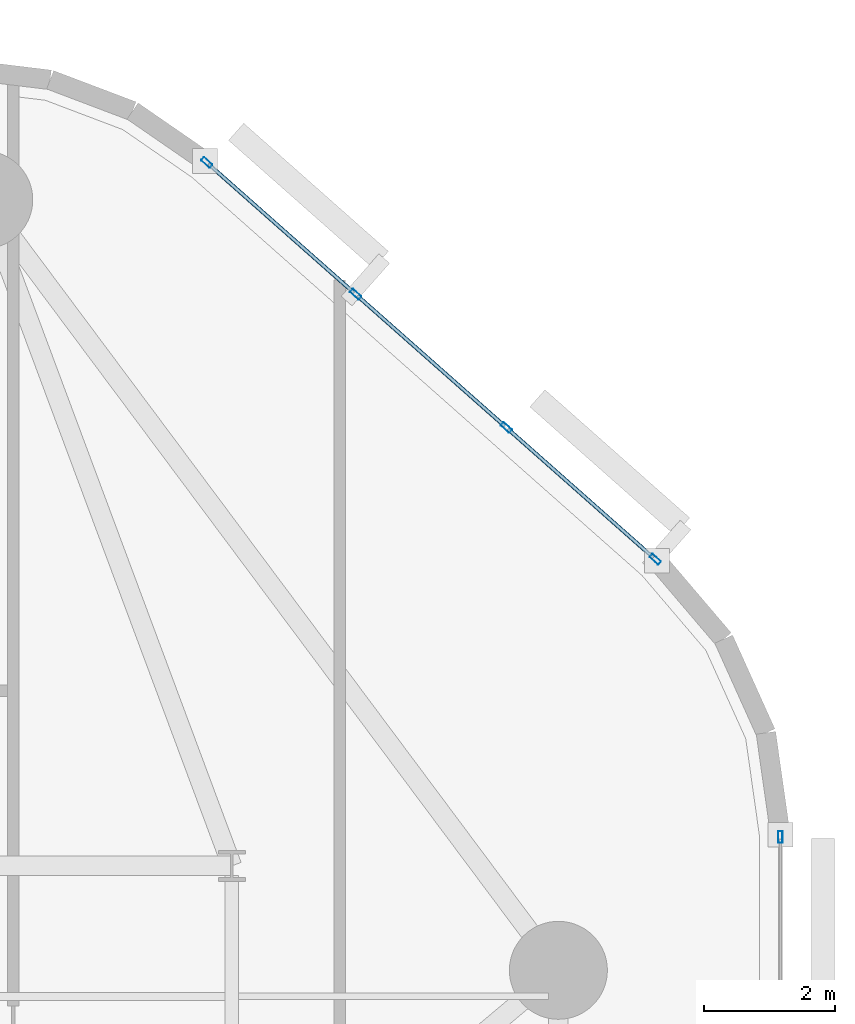
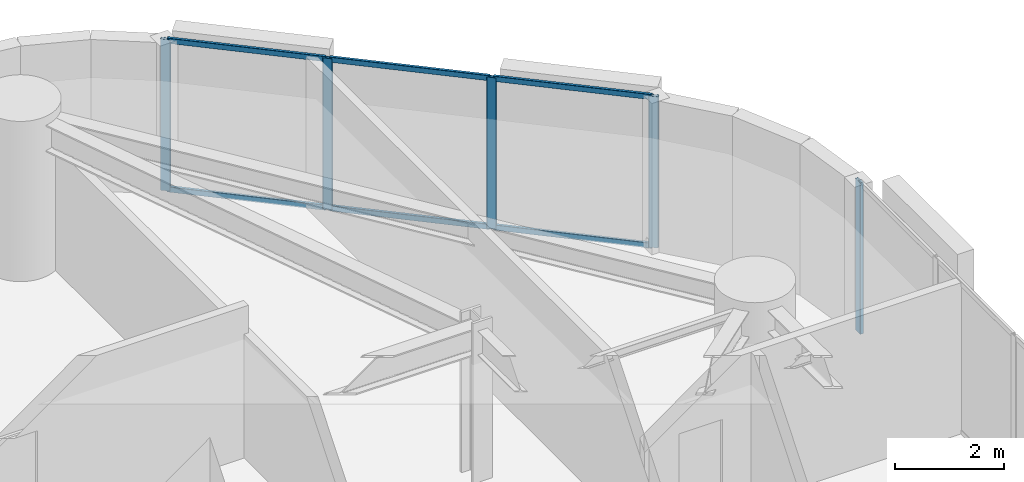
# One storey, part 8 of 16: 11 members, 2 elements without a shape of their own.
"""IFC4 building model written with IfcOpenShell, lengths in metres."""

from ifc_helpers import new_model, si_unit, direction, frame, origin, origin_2d, place, context, subcontext, project, spatial, hollow_rectangle, extrude, material, layer, layer_set, material_profile, profile_set, type_object, element, aggregate, save


model = new_model("IFC4")

# Units and contexts
model_context = context("Model", 3, precision=1e-05, world=origin(), true_north=direction((0.0, 1.0)))
body_context = subcontext(model_context, "Body", "Model", "MODEL_VIEW")
ifc_project = project(units=[si_unit("LENGTHUNIT", "METRE"), si_unit("AREAUNIT", "SQUARE_METRE"), si_unit("VOLUMEUNIT", "CUBIC_METRE"), si_unit("PLANEANGLEUNIT", "RADIAN"), si_unit("MASSUNIT", "GRAM", prefix="KILO")], contexts=[model_context])

# Site, building, storey
site_placement = place(None, origin())
site = spatial("IfcSite", under=ifc_project, at=site_placement, CompositionType="ELEMENT")
building_placement = place(site_placement, origin())
building = spatial("IfcBuilding", under=site, at=building_placement, Name="An Khanh Terracotta Commons", CompositionType="ELEMENT")
storey_placement = place(building_placement, frame((0.0, 0.0, 54.0)))
storey = spatial("IfcBuildingStorey", under=building, at=storey_placement, Name="L14", CompositionType="ELEMENT", Elevation=54.0)

# Curtain wall, member
ifc_material = material(Name="Anodised Aluminium 6063-T6", Category="aluminium")
ifc_layer = layer(ifc_material, 0.199951171875, Name="Anodised Aluminium 6063-T6")
ifc_layer_set = layer_set([ifc_layer], Name="Anodised Aluminium 6063-T6")
curtain_wall_type = type_object("IfcCurtainWallType", Name="CW-SYS-02", PredefinedType="USERDEFINED", material=ifc_layer_set)
curtain_wall_1_placement = place(storey_placement, origin())
curtain_wall_1 = element("IfcCurtainWall", 1, at=curtain_wall_1_placement, inside=storey, type_object=curtain_wall_type, Name="L14 CW-02 Unitised Curtain Wall CW-L14-12", ObjectType="UNITISED CURTAIN WALL", PredefinedType="USERDEFINED")
ifc_material_profile_1 = material_profile(ifc_material, hollow_rectangle(XDim=0.070068359375, YDim=0.179931640625, WallThickness=0.00390625, InnerFilletRadius=0.00390625, OuterFilletRadius=0.008056640625, at=origin_2d()), Name="RHS180x70x4")
ifc_profile_set_1 = profile_set([ifc_material_profile_1], Name="Anodised Aluminium 6063-T6")
member_type_1 = type_object("IfcMemberType", Name="CWM-RHS180x70x4", PredefinedType="MULLION", material=ifc_profile_set_1)
member_1_placement = place(storey_placement, frame((51.60009765625, 34.0419921875, 0.0), z_axis=(0.0, 0.0, 1.0), x_axis=(-1.0, 0.0, 0.0)))
member_1 = element("IfcMember", 2, at=member_1_placement, type_object=member_type_1, Name="CW-02 mullion 8", PredefinedType="MULLION", context=body_context, shape_type="SweptSolid", body=[
    extrude(hollow_rectangle(XDim=0.070068359375, YDim=0.179931640625, WallThickness=0.00390625, InnerFilletRadius=0.00390625, OuterFilletRadius=0.008056640625, at=origin_2d()), origin(), (0.0, 0.0, 1.0), 3.39990234375),
])
aggregate(curtain_wall_1, [member_1])

# Curtain wall, members
curtain_wall_2_placement = place(storey_placement, origin())
curtain_wall_2 = element("IfcCurtainWall", 3, at=curtain_wall_2_placement, inside=storey, type_object=curtain_wall_type, Name="L14 CW-02 Unitised Curtain Wall CW-L14-16", ObjectType="UNITISED CURTAIN WALL", PredefinedType="USERDEFINED")
member_2_placement = place(storey_placement, frame((49.683837890625, 38.295166015625, 0.0), z_axis=(0.0, 0.0, 1.0), x_axis=(-0.662548195415, -0.749019284633, 0.0)))
member_2 = element("IfcMember", 4, at=member_2_placement, type_object=member_type_1, Name="CW-02 mullion 1", PredefinedType="MULLION", context=body_context, shape_type="SweptSolid", body=[
    extrude(hollow_rectangle(XDim=0.070068359375, YDim=0.179931640625, WallThickness=0.00390625, InnerFilletRadius=0.00390625, OuterFilletRadius=0.008056640625, at=origin_2d()), origin(), (0.0, 0.0, 1.0), 3.39990234375),
])
member_3_placement = place(storey_placement, frame((47.403076171875, 40.312744140625, 0.0), z_axis=(0.0, 0.0, 1.0), x_axis=(-0.662548195415, -0.749019284633, 0.0)))
member_3 = element("IfcMember", 5, at=member_3_placement, type_object=member_type_1, Name="CW-02 mullion 2", PredefinedType="MULLION", context=body_context, shape_type="SweptSolid", body=[
    extrude(hollow_rectangle(XDim=0.070068359375, YDim=0.179931640625, WallThickness=0.00390625, InnerFilletRadius=0.00390625, OuterFilletRadius=0.008056640625, at=origin_2d()), origin(), (0.0, 0.0, 1.0), 3.39990234375),
])
member_4_placement = place(storey_placement, frame((45.095947265625, 42.353271484375, 0.0), z_axis=(0.0, 0.0, 1.0), x_axis=(-0.662548195415, -0.749019284633, 0.0)))
member_4 = element("IfcMember", 6, at=member_4_placement, type_object=member_type_1, Name="CW-02 mullion 3", PredefinedType="MULLION", context=body_context, shape_type="SweptSolid", body=[
    extrude(hollow_rectangle(XDim=0.070068359375, YDim=0.179931640625, WallThickness=0.00390625, InnerFilletRadius=0.00390625, OuterFilletRadius=0.008056640625, at=origin_2d()), origin(), (0.0, 0.0, 1.0), 3.39990234375),
])
member_5_placement = place(storey_placement, frame((42.815185546875, 44.370849609375, 0.0), z_axis=(0.0, 0.0, 1.0), x_axis=(-0.662548195415, -0.749019284633, 0.0)))
member_5 = element("IfcMember", 7, at=member_5_placement, type_object=member_type_1, Name="CW-02 mullion 4", PredefinedType="MULLION", context=body_context, shape_type="SweptSolid", body=[
    extrude(hollow_rectangle(XDim=0.070068359375, YDim=0.179931640625, WallThickness=0.00390625, InnerFilletRadius=0.00390625, OuterFilletRadius=0.008056640625, at=origin_2d()), origin(), (0.0, 0.0, 1.0), 3.39990234375),
])
ifc_material_profile_2 = material_profile(ifc_material, hollow_rectangle(XDim=0.06005859375, YDim=0.1201171875, WallThickness=0.003662109375, InnerFilletRadius=0.003662109375, OuterFilletRadius=0.007080078125, at=origin_2d()), Name="RHS120x60x3.6")
ifc_profile_set_2 = profile_set([ifc_material_profile_2], Name="Anodised Aluminium 6063-T6")
member_type_2 = type_object("IfcMemberType", Name="CWT-RHS120x60x3.6", PredefinedType="USERDEFINED", material=ifc_profile_set_2)
member_6_placement = place(storey_placement, frame((49.657470703125, 38.318359375, 0.030029296875), z_axis=(-0.74899186341, 0.662579194168, 0.0), x_axis=(-0.662579194168, -0.74899186341, 0.0)))
member_6 = element("IfcMember", 8, at=member_6_placement, type_object=member_type_2, Name="CW-02 transom 1.1", ObjectType="TRANSOM", PredefinedType="USERDEFINED", context=body_context, shape_type="SweptSolid", body=[
    extrude(hollow_rectangle(XDim=0.06005859375, YDim=0.1201171875, WallThickness=0.003662109375, InnerFilletRadius=0.003662109375, OuterFilletRadius=0.007080078125, at=origin_2d()), origin(), (0.0, 0.0, 1.0), 2.97509765625),
])
member_7_placement = place(storey_placement, frame((49.657470703125, 38.318359375, 3.3701171875), z_axis=(-0.74899186341, 0.662579194168, 0.0), x_axis=(-0.662579194168, -0.74899186341, 0.0)))
member_7 = element("IfcMember", 9, at=member_7_placement, type_object=member_type_2, Name="CW-02 transom 1.2", ObjectType="TRANSOM", PredefinedType="USERDEFINED", context=body_context, shape_type="SweptSolid", body=[
    extrude(hollow_rectangle(XDim=0.06005859375, YDim=0.1201171875, WallThickness=0.003662109375, InnerFilletRadius=0.003662109375, OuterFilletRadius=0.007080078125, at=origin_2d()), origin(), (0.0, 0.0, 1.0), 2.97509765625),
])
member_8_placement = place(storey_placement, frame((47.376708984375, 40.3359375, 0.030029296875), z_axis=(-0.749018237701, 0.662549378984, 0.0), x_axis=(-0.662549378984, -0.749018237701, 0.0)))
member_8 = element("IfcMember", 10, at=member_8_placement, type_object=member_type_2, Name="CW-02 transom 2.1", ObjectType="TRANSOM", PredefinedType="USERDEFINED", context=body_context, shape_type="SweptSolid", body=[
    extrude(hollow_rectangle(XDim=0.06005859375, YDim=0.1201171875, WallThickness=0.003662109375, InnerFilletRadius=0.003662109375, OuterFilletRadius=0.007080078125, at=origin_2d()), origin(), (0.0, 0.0, 1.0), 3.009765625),
])
member_9_placement = place(storey_placement, frame((47.376708984375, 40.3359375, 3.3701171875), z_axis=(-0.749018237701, 0.662549378984, 0.0), x_axis=(-0.662549378984, -0.749018237701, 0.0)))
member_9 = element("IfcMember", 11, at=member_9_placement, type_object=member_type_2, Name="CW-02 transom 2.2", ObjectType="TRANSOM", PredefinedType="USERDEFINED", context=body_context, shape_type="SweptSolid", body=[
    extrude(hollow_rectangle(XDim=0.06005859375, YDim=0.1201171875, WallThickness=0.003662109375, InnerFilletRadius=0.003662109375, OuterFilletRadius=0.007080078125, at=origin_2d()), origin(), (0.0, 0.0, 1.0), 3.009765625),
])
member_10_placement = place(storey_placement, frame((45.06982421875, 42.37646484375, 0.030029296875), z_axis=(-0.74899186341, 0.662579194168, 0.0), x_axis=(-0.662579194168, -0.74899186341, 0.0)))
member_10 = element("IfcMember", 12, at=member_10_placement, type_object=member_type_2, Name="CW-02 transom 3.1", ObjectType="TRANSOM", PredefinedType="USERDEFINED", context=body_context, shape_type="SweptSolid", body=[
    extrude(hollow_rectangle(XDim=0.06005859375, YDim=0.1201171875, WallThickness=0.003662109375, InnerFilletRadius=0.003662109375, OuterFilletRadius=0.007080078125, at=origin_2d()), origin(), (0.0, 0.0, 1.0), 2.97509765625),
])
member_11_placement = place(storey_placement, frame((45.06982421875, 42.37646484375, 3.3701171875), z_axis=(-0.74899186341, 0.662579194168, 0.0), x_axis=(-0.662579194168, -0.74899186341, 0.0)))
member_11 = element("IfcMember", 13, at=member_11_placement, type_object=member_type_2, Name="CW-02 transom 3.2", ObjectType="TRANSOM", PredefinedType="USERDEFINED", context=body_context, shape_type="SweptSolid", body=[
    extrude(hollow_rectangle(XDim=0.06005859375, YDim=0.1201171875, WallThickness=0.003662109375, InnerFilletRadius=0.003662109375, OuterFilletRadius=0.007080078125, at=origin_2d()), origin(), (0.0, 0.0, 1.0), 2.97509765625),
])
aggregate(curtain_wall_2, [member_2, member_3, member_4, member_5, member_6, member_7, member_8, member_9, member_10, member_11])

save(model, "model.ifc")
